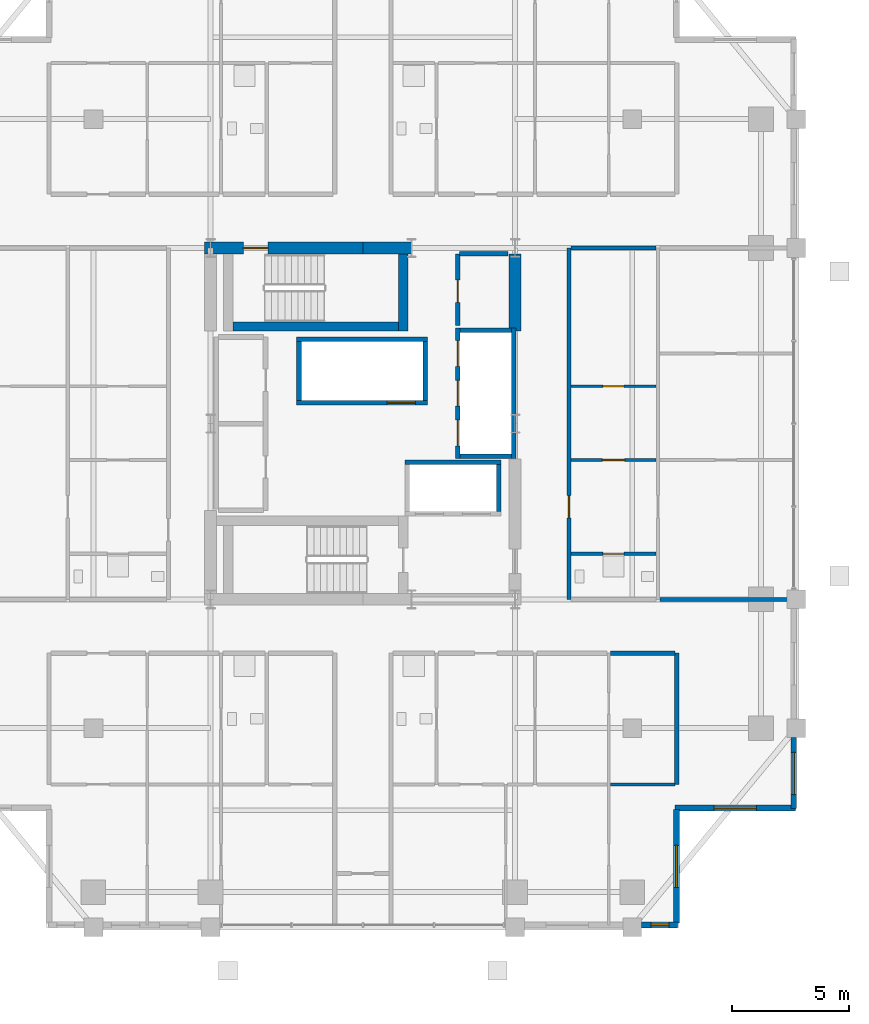
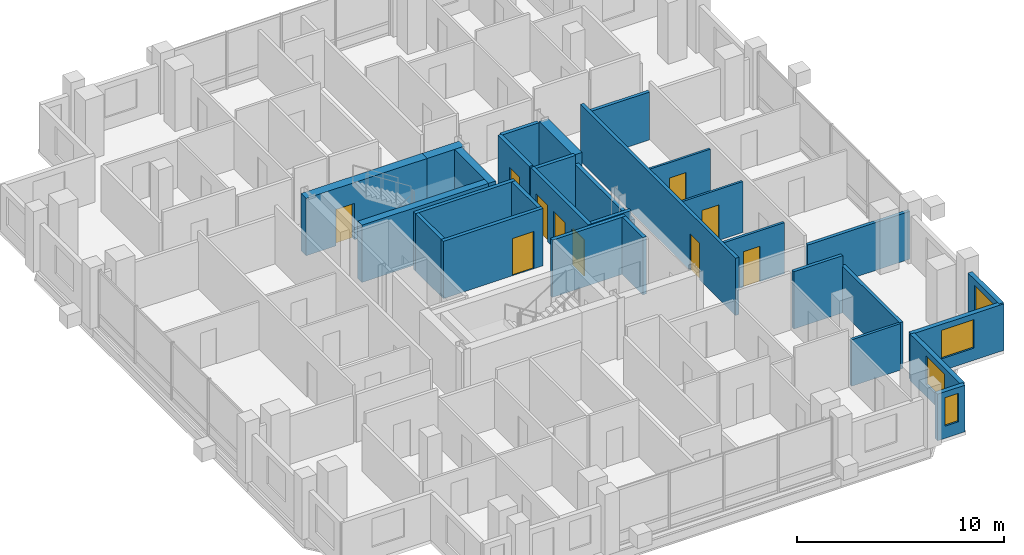
# One storey, part 20 of 24: 30 walls, 10 doors, 4 windows, 14 openings.
"""IFC4 building model written with IfcOpenShell, lengths in metres."""

from ifc_helpers import new_model, si_unit, direction, frame, frame_2d, origin, place, context, subcontext, project, spatial, rectangle, extrude, material, layer, layer_set, type_object, element, fill, save


model = new_model("IFC4")

# Units and contexts
model_context = context("Model", 3, precision=1e-05, world=origin(), true_north=direction((0.0, 1.0)))
body_context = subcontext(model_context, "Body", "Model", "MODEL_VIEW")
ifc_project = project(units=[si_unit("LENGTHUNIT", "METRE"), si_unit("AREAUNIT", "SQUARE_METRE"), si_unit("VOLUMEUNIT", "CUBIC_METRE"), si_unit("PLANEANGLEUNIT", "RADIAN"), si_unit("MASSUNIT", "GRAM", prefix="KILO")], contexts=[model_context])

# Site, building, storey
site_placement = place(None, origin())
site = spatial("IfcSite", under=ifc_project, at=site_placement, CompositionType="ELEMENT")
building_placement = place(site_placement, origin())
building = spatial("IfcBuilding", under=site, at=building_placement, Name="Barlavira Tower and Art Museum", CompositionType="ELEMENT")
storey_placement = place(building_placement, frame((0.0, 0.0, 169.199951171875)))
storey = spatial("IfcBuildingStorey", under=building, at=storey_placement, Name="L43", CompositionType="ELEMENT", Elevation=169.199951171875)

# Wall, opening, door
ifc_material_1 = material(Name="Gypsum acoustic stud partition", Category="gypsum")
ifc_layer_1 = layer(ifc_material_1, 0.1201171875, Name="Gypsum acoustic stud partition")
ifc_layer_set_1 = layer_set([ifc_layer_1], Name="Gypsum acoustic stud partition")
wall_type_1 = type_object("IfcWallType", Name="Apartment Internal Acoustic Partition 120", PredefinedType="PARTITIONING", material=ifc_layer_set_1)
wall_1_placement = place(storey_placement, frame((8.8798828125, -1.550048828125, 0.0), z_axis=(0.0, 0.0, 1.0), x_axis=(1.0, 0.0, 0.0)))
wall_1 = element("IfcWall", 1, at=wall_1_placement, inside=storey, type_object=wall_type_1, Name="L43 Partition Wall 55", PredefinedType="PARTITIONING", context=body_context, shape_type="SweptSolid", body=[
    extrude(rectangle(XDim=3.64013671875, YDim=0.1201171875, at=frame_2d((1.820068359375, 0.0))), origin(), (0.0, 0.0, 1.0), 3.010986328125),
])
opening_1_placement = place(wall_1_placement, frame((1.344970703125, 0.0, 0.0)))
opening_1 = element("IfcOpeningElement", 2, at=opening_1_placement, cuts=wall_1, Name="Opening D-02", PredefinedType="OPENING", context=body_context, shape_type="SweptSolid", body=[
    extrude(rectangle(XDim=0.949951171875, YDim=2.10009765625, at=frame_2d((0.47509765625, 1.050048828125))), frame((0.0, 0.070068359375, 0.0), z_axis=(0.0, -1.0, 0.0), x_axis=(1.0, 0.0, 0.0)), (0.0, 0.0, 1.0), 0.14013671875),
])
ifc_material_2 = material(Name="Engineered coastal hardwood", Category="wood")
door_type_1 = type_object("IfcDoorType", Name="Living and Salon Glazed-Leaf Door 950x2100", OperationType="NOTDEFINED", PredefinedType="DOOR", material=ifc_material_2)
door_1_placement = place(opening_1_placement, origin())
door_1 = element("IfcDoor", 3, at=door_1_placement, inside=storey, type_object=door_type_1, Name="Apartment E1 Kitchen Door", OperationType="SINGLE_SWING_RIGHT", OverallHeight=2.10009765625, OverallWidth=0.949951171875, PredefinedType="DOOR", context=body_context, shape_type="SweptSolid", body=[
    extrude(rectangle(XDim=0.949951171875, YDim=2.10009765625, at=frame_2d((0.47509765625, 1.050048828125))), frame((0.0, 0.02490234375, 0.0), z_axis=(0.0, -1.0, 0.0), x_axis=(1.0, 0.0, 0.0)), (0.0, 0.0, 1.0), 0.050048828125),
])
fill(opening_1, door_1)

wall_2_placement = place(storey_placement, frame((8.8798828125, 1.60009765625, 0.0), z_axis=(0.0, 0.0, 1.0), x_axis=(1.0, 0.0, 0.0)))
wall_2 = element("IfcWall", 4, at=wall_2_placement, inside=storey, type_object=wall_type_1, Name="L43 Partition Wall 60", PredefinedType="PARTITIONING", context=body_context, shape_type="SweptSolid", body=[
    extrude(rectangle(XDim=3.64013671875, YDim=0.1201171875, at=frame_2d((1.820068359375, 0.0))), origin(), (0.0, 0.0, 1.0), 3.010986328125),
])
opening_2_placement = place(wall_2_placement, frame((1.3701171875, 0.0, 0.0)))
opening_2 = element("IfcOpeningElement", 5, at=opening_2_placement, cuts=wall_2, Name="Opening D-01", PredefinedType="OPENING", context=body_context, shape_type="SweptSolid", body=[
    extrude(rectangle(XDim=0.89990234375, YDim=2.10009765625, at=frame_2d((0.449951171875, 1.050048828125))), frame((0.0, 0.070068359375, 0.0), z_axis=(0.0, -1.0, 0.0), x_axis=(1.0, 0.0, 0.0)), (0.0, 0.0, 1.0), 0.14013671875),
])
door_type_2 = type_object("IfcDoorType", Name="Internal Bedroom Timber Flush Door 900x2100", OperationType="NOTDEFINED", PredefinedType="DOOR", material=ifc_material_2)
door_2_placement = place(opening_2_placement, origin())
door_2 = element("IfcDoor", 6, at=door_2_placement, inside=storey, type_object=door_type_2, Name="Apartment E1 Walk-In Dressing Room Door", OperationType="SINGLE_SWING_LEFT", OverallHeight=2.10009765625, OverallWidth=0.89990234375, PredefinedType="DOOR", context=body_context, shape_type="SweptSolid", body=[
    extrude(rectangle(XDim=0.89990234375, YDim=2.10009765625, at=frame_2d((0.449951171875, 1.050048828125))), frame((0.0, 0.02490234375, 0.0), z_axis=(0.0, -1.0, 0.0), x_axis=(1.0, 0.0, 0.0)), (0.0, 0.0, 1.0), 0.050048828125),
])
fill(opening_2, door_2)

ifc_material_3 = material(Name="Concrete C60", Category="concrete")
ifc_layer_2 = layer(ifc_material_3, 0.5, Name="Concrete C60")
ifc_layer_set_2 = layer_set([ifc_layer_2], Name="Concrete C60")
wall_type_2 = type_object("IfcWallType", Name="Core Structural Shear Wall 500 Concrete C60", PredefinedType="SHEAR", material=ifc_layer_set_2)
wall_3_placement = place(storey_placement, frame((-6.75, 7.5, 0.0), z_axis=(0.0, 0.0, 1.0), x_axis=(1.0, 0.0, 0.0)))
wall_3 = element("IfcWall", 7, at=wall_3_placement, inside=storey, type_object=wall_type_2, Name="L43 Core Shear Wall CS-NW", PredefinedType="SHEAR", context=body_context, shape_type="SweptSolid", body=[
    extrude(rectangle(XDim=6.75, YDim=0.5, at=frame_2d((3.375, 0.0))), origin(), (0.0, 0.0, 1.0), 3.380126953125),
])
opening_3_placement = place(wall_3_placement, frame((1.64990234375, 0.0, 0.0)))
opening_3 = element("IfcOpeningElement", 8, at=opening_3_placement, cuts=wall_3, Name="Opening FD-90", PredefinedType="OPENING", context=body_context, shape_type="SweptSolid", body=[
    extrude(rectangle(XDim=1.050048828125, YDim=2.14990234375, at=frame_2d((0.52490234375, 1.074951171875))), frame((0.0, 0.260009765625, 0.0), z_axis=(0.0, -1.0, 0.0), x_axis=(1.0, 0.0, 0.0)), (0.0, 0.0, 1.0), 0.52001953125),
])
ifc_material_4 = material(Name="Brushed stainless steel", Category="steel")
door_type_3 = type_object("IfcDoorType", Name="Stair and Refuge Fire Door 1050x2150 FD90S", OperationType="NOTDEFINED", PredefinedType="DOOR", material=ifc_material_4)
door_3_placement = place(opening_3_placement, origin())
door_3 = element("IfcDoor", 9, at=door_3_placement, inside=storey, type_object=door_type_3, Name="L43 Stair ST-T2 Fire Door", OperationType="SINGLE_SWING_LEFT", OverallHeight=2.14990234375, OverallWidth=1.050048828125, PredefinedType="DOOR", context=body_context, shape_type="SweptSolid", body=[
    extrude(rectangle(XDim=1.050048828125, YDim=2.14990234375, at=frame_2d((0.52490234375, 1.074951171875))), frame((0.0, 0.02490234375, 0.0), z_axis=(0.0, -1.0, 0.0), x_axis=(1.0, 0.0, 0.0)), (0.0, 0.0, 1.0), 0.050048828125),
])
fill(opening_3, door_3)

# Walls
wall_4_placement = place(storey_placement, frame((0.0, 7.5, 0.0), z_axis=(0.0, 0.0, 1.0), x_axis=(1.0, 0.0, 0.0)))
element("IfcWall", 10, at=wall_4_placement, inside=storey, type_object=wall_type_2, Name="L43 Core Shear Wall CS-EN", PredefinedType="SHEAR", context=body_context, shape_type="SweptSolid", body=[
    extrude(rectangle(XDim=2.080078125, YDim=0.5, at=frame_2d((1.0400390625, 0.0))), origin(), (0.0, 0.0, 1.0), 3.380126953125),
])
wall_5_placement = place(storey_placement, frame((6.5, 3.949951171875, 0.0), z_axis=(0.0, 0.0, 1.0), x_axis=(0.0, 1.0, 0.0)))
element("IfcWall", 11, at=wall_5_placement, inside=storey, type_object=wall_type_2, Name="L43 Core Shear Wall CS-E2", PredefinedType="SHEAR", context=body_context, shape_type="SweptSolid", body=[
    extrude(rectangle(XDim=3.300048828125, YDim=0.5, at=frame_2d((1.64990234375, 0.0))), origin(), (0.0, 0.0, 1.0), 3.380126953125),
])

# Wall, openings, doors
ifc_material_5 = material(Name="Autoclaved aerated concrete masonry", Category="masonry")
ifc_layer_3 = layer(ifc_material_5, 0.199951171875, Name="Autoclaved aerated concrete masonry")
ifc_layer_set_3 = layer_set([ifc_layer_3], Name="Autoclaved aerated concrete masonry")
wall_type_3 = type_object("IfcWallType", Name="Fire Compartment and Shaft Wall 200", PredefinedType="SOLIDWALL", material=ifc_layer_set_3)
wall_6_placement = place(storey_placement, frame((4.050048828125, -1.489990234375, 0.0), z_axis=(0.0, 0.0, 1.0), x_axis=(0.0, 1.0, 0.0)))
wall_6 = element("IfcWall", 12, at=wall_6_placement, inside=storey, type_object=wall_type_3, Name="L43 Mid-Rise Lift Front Shaft Wall", PredefinedType="SOLIDWALL", context=body_context, shape_type="SweptSolid", body=[
    extrude(rectangle(XDim=5.580078125, YDim=0.199951171875, at=frame_2d((2.7900390625, 0.0))), origin(), (0.0, 0.0, 1.0), 3.380126953125),
])
opening_4_placement = place(wall_6_placement, frame((0.5400390625, 0.0, 0.0)))
opening_4 = element("IfcOpeningElement", 13, at=opening_4_placement, cuts=wall_6, Name="Opening LD-P", PredefinedType="OPENING", context=body_context, shape_type="SweptSolid", body=[
    extrude(rectangle(XDim=1.10009765625, YDim=2.14990234375, at=frame_2d((0.550048828125, 1.074951171875))), frame((0.0, 0.10986328125, 0.0), z_axis=(0.0, -1.0, 0.0), x_axis=(1.0, 0.0, 0.0)), (0.0, 0.0, 1.0), 0.219970703125),
])
opening_5_placement = place(wall_6_placement, frame((2.239990234375, 0.0, 0.0)))
opening_5 = element("IfcOpeningElement", 14, at=opening_5_placement, cuts=wall_6, Name="Opening LD-P", PredefinedType="OPENING", context=body_context, shape_type="SweptSolid", body=[
    extrude(rectangle(XDim=1.10009765625, YDim=2.14990234375, at=frame_2d((0.550048828125, 1.074951171875))), frame((0.0, 0.10986328125, 0.0), z_axis=(0.0, -1.0, 0.0), x_axis=(1.0, 0.0, 0.0)), (0.0, 0.0, 1.0), 0.219970703125),
])
opening_6_placement = place(wall_6_placement, frame((3.93994140625, 0.0, 0.0)))
opening_6 = element("IfcOpeningElement", 15, at=opening_6_placement, cuts=wall_6, Name="Opening LD-P", PredefinedType="OPENING", context=body_context, shape_type="SweptSolid", body=[
    extrude(rectangle(XDim=1.10009765625, YDim=2.14990234375, at=frame_2d((0.550048828125, 1.074951171875))), frame((0.0, 0.10986328125, 0.0), z_axis=(0.0, -1.0, 0.0), x_axis=(1.0, 0.0, 0.0)), (0.0, 0.0, 1.0), 0.219970703125),
])
door_type_4 = type_object("IfcDoorType", Name="Passenger Lift Sliding Landing Door 1100x2150 FD60", OperationType="NOTDEFINED", PredefinedType="DOOR", material=ifc_material_4)
door_4_placement = place(opening_4_placement, origin())
door_4 = element("IfcDoor", 16, at=door_4_placement, inside=storey, type_object=door_type_4, Name="L43 Lift PM1 Sliding Landing Door", OperationType="DOUBLE_DOOR_SLIDING", OverallHeight=2.14990234375, OverallWidth=1.10009765625, PredefinedType="DOOR", context=body_context, shape_type="SweptSolid", body=[
    extrude(rectangle(XDim=1.10009765625, YDim=2.14990234375, at=frame_2d((0.550048828125, 1.074951171875))), frame((0.0, 0.02490234375, 0.0), z_axis=(0.0, -1.0, 0.0), x_axis=(1.0, 0.0, 0.0)), (0.0, 0.0, 1.0), 0.050048828125),
])
fill(opening_4, door_4)
door_5_placement = place(opening_5_placement, origin())
door_5 = element("IfcDoor", 17, at=door_5_placement, inside=storey, type_object=door_type_4, Name="L43 Lift PM2 Sliding Landing Door", OperationType="DOUBLE_DOOR_SLIDING", OverallHeight=2.14990234375, OverallWidth=1.10009765625, PredefinedType="DOOR", context=body_context, shape_type="SweptSolid", body=[
    extrude(rectangle(XDim=1.10009765625, YDim=2.14990234375, at=frame_2d((0.550048828125, 1.074951171875))), frame((0.0, 0.02490234375, 0.0), z_axis=(0.0, -1.0, 0.0), x_axis=(1.0, 0.0, 0.0)), (0.0, 0.0, 1.0), 0.050048828125),
])
fill(opening_5, door_5)
door_6_placement = place(opening_6_placement, origin())
door_6 = element("IfcDoor", 18, at=door_6_placement, inside=storey, type_object=door_type_4, Name="L43 Lift PM3 Sliding Landing Door", OperationType="DOUBLE_DOOR_SLIDING", OverallHeight=2.14990234375, OverallWidth=1.10009765625, PredefinedType="DOOR", context=body_context, shape_type="SweptSolid", body=[
    extrude(rectangle(XDim=1.10009765625, YDim=2.14990234375, at=frame_2d((0.550048828125, 1.074951171875))), frame((0.0, 0.02490234375, 0.0), z_axis=(0.0, -1.0, 0.0), x_axis=(1.0, 0.0, 0.0)), (0.0, 0.0, 1.0), 0.050048828125),
])
fill(opening_6, door_6)

# Walls
wall_7_placement = place(storey_placement, frame((6.449951171875, -1.489990234375, 0.0), z_axis=(0.0, 0.0, 1.0), x_axis=(0.0, 1.0, 0.0)))
element("IfcWall", 19, at=wall_7_placement, inside=storey, type_object=wall_type_3, Name="L43 Mid-Rise Lift Back Shaft Wall", PredefinedType="SOLIDWALL", context=body_context, shape_type="SweptSolid", body=[
    extrude(rectangle(XDim=5.580078125, YDim=0.199951171875, at=frame_2d((2.7900390625, 0.0))), origin(), (0.0, 0.0, 1.0), 2.825927734375),
])
for number, where, z_axis, x_axis, name in (
    (20, (4.14990234375, -1.389892578125, 0.0), (0.0, 0.0, 1.0), (1.0, 0.0, 0.0), "L43 Mid-Rise Lift South Shaft Wall"),
    (21, (4.14990234375, 3.989990234375, 0.0), (0.0, 0.0, 1.0), (1.0, 0.0, 0.0), "L43 Mid-Rise Lift North Shaft Wall"),
):
    element("IfcWall", number, at=place(storey_placement, frame(where, z_axis=z_axis, x_axis=x_axis)), inside=storey, type_object=wall_type_3, Name=name, PredefinedType="SOLIDWALL", context=body_context, shape_type="SweptSolid", body=[
        extrude(rectangle(XDim=2.2001953125, YDim=0.199951171875, at=frame_2d((1.10009765625, 0.0))), origin(), (0.0, 0.0, 1.0), 3.380126953125),
    ])

# Wall, opening, door
wall_8_placement = place(storey_placement, frame((-2.820068359375, 0.89990234375, 0.0), z_axis=(0.0, 0.0, 1.0), x_axis=(1.0, 0.0, 0.0)))
wall_8 = element("IfcWall", 22, at=wall_8_placement, inside=storey, type_object=wall_type_3, Name="L43 High-Rise & Service Lift Front Wall", PredefinedType="SOLIDWALL", context=body_context, shape_type="SweptSolid", body=[
    extrude(rectangle(XDim=5.580078125, YDim=0.199951171875, at=frame_2d((2.7900390625, 0.0))), origin(), (0.0, 0.0, 1.0), 3.380126953125),
])
opening_7_placement = place(wall_8_placement, frame((3.860107421875, 0.0, 0.0)))
opening_7 = element("IfcOpeningElement", 23, at=opening_7_placement, cuts=wall_8, Name="Opening LD-F", PredefinedType="OPENING", context=body_context, shape_type="SweptSolid", body=[
    extrude(rectangle(XDim=1.199951171875, YDim=2.199951171875, at=frame_2d((0.60009765625, 1.10009765625))), frame((0.0, 0.10986328125, 0.0), z_axis=(0.0, -1.0, 0.0), x_axis=(1.0, 0.0, 0.0)), (0.0, 0.0, 1.0), 0.219970703125),
])
door_type_5 = type_object("IfcDoorType", Name="Firefighting and Service Lift Sliding Door 1200x2200 FD120", OperationType="NOTDEFINED", PredefinedType="DOOR", material=ifc_material_4)
door_7_placement = place(opening_7_placement, origin())
door_7 = element("IfcDoor", 24, at=door_7_placement, inside=storey, type_object=door_type_5, Name="L43 Stretcher Service Lift SL1 Sliding Door", OperationType="DOUBLE_DOOR_SLIDING", OverallHeight=2.199951171875, OverallWidth=1.199951171875, PredefinedType="DOOR", context=body_context, shape_type="SweptSolid", body=[
    extrude(rectangle(XDim=1.199951171875, YDim=2.199951171875, at=frame_2d((0.60009765625, 1.10009765625))), frame((0.0, 0.02490234375, 0.0), z_axis=(0.0, -1.0, 0.0), x_axis=(1.0, 0.0, 0.0)), (0.0, 0.0, 1.0), 0.050048828125),
])
fill(opening_7, door_7)

# Walls
wall_9_placement = place(storey_placement, frame((-2.820068359375, 3.60009765625, 0.0), z_axis=(0.0, 0.0, 1.0), x_axis=(1.0, 0.0, 0.0)))
element("IfcWall", 25, at=wall_9_placement, inside=storey, type_object=wall_type_3, Name="L43 High-Rise & Service Lift Back Wall", PredefinedType="SOLIDWALL", context=body_context, shape_type="SweptSolid", body=[
    extrude(rectangle(XDim=5.580078125, YDim=0.199951171875, at=frame_2d((2.7900390625, 0.0))), origin(), (0.0, 0.0, 1.0), 3.380126953125),
])
for number, where, z_axis, x_axis, name in (
    (26, (-2.719970703125, 1.0, 0.0), (0.0, 0.0, 1.0), (0.0, 1.0, 0.0), "L43 High-Rise & Service Lift West Wall"),
    (27, (2.659912109375, 1.0, 0.0), (0.0, 0.0, 1.0), (0.0, 1.0, 0.0), "L43 High-Rise & Service Lift East Wall"),
):
    element("IfcWall", number, at=place(storey_placement, frame(where, z_axis=z_axis, x_axis=x_axis)), inside=storey, type_object=wall_type_3, Name=name, PredefinedType="SOLIDWALL", context=body_context, shape_type="SweptSolid", body=[
        extrude(rectangle(XDim=2.5, YDim=0.199951171875, at=frame_2d((1.25, 0.0))), origin(), (0.0, 0.0, 1.0), 3.380126953125),
    ])
wall_10_placement = place(storey_placement, frame((1.800048828125, -1.64990234375, 0.0), z_axis=(0.0, 0.0, 1.0), x_axis=(1.0, 0.0, 0.0)))
element("IfcWall", 28, at=wall_10_placement, inside=storey, type_object=wall_type_3, Name="L43 Firefighting Lift Back Shaft Wall", PredefinedType="SOLIDWALL", context=body_context, shape_type="SweptSolid", body=[
    extrude(rectangle(XDim=4.099853515625, YDim=0.199951171875, at=frame_2d((2.0498046875, 0.0))), origin(), (0.0, 0.0, 1.0), 3.380126953125),
])
wall_11_placement = place(storey_placement, frame((5.800048828125, -3.75, 0.0), z_axis=(0.0, 0.0, 1.0), x_axis=(0.0, 1.0, 0.0)))
element("IfcWall", 29, at=wall_11_placement, inside=storey, type_object=wall_type_3, Name="L43 Firefighting Lift East Shaft Wall", PredefinedType="SOLIDWALL", context=body_context, shape_type="SweptSolid", body=[
    extrude(rectangle(XDim=2.0, YDim=0.199951171875, at=frame_2d((1.0, 0.0))), origin(), (0.0, 0.0, 1.0), 3.380126953125),
])

# Wall, opening, door
wall_12_placement = place(storey_placement, frame((4.050048828125, 4.199951171875, 0.0), z_axis=(0.0, 0.0, 1.0), x_axis=(0.0, 1.0, 0.0)))
wall_12 = element("IfcWall", 30, at=wall_12_placement, inside=storey, type_object=wall_type_3, Name="L43 Partition Wall 19", PredefinedType="SOLIDWALL", context=body_context, shape_type="SweptSolid", body=[
    extrude(rectangle(XDim=3.050048828125, YDim=0.199951171875, at=frame_2d((1.52490234375, 0.0))), origin(), (0.0, 0.0, 1.0), 3.380126953125),
])
opening_8_placement = place(wall_12_placement, frame((0.97509765625, 0.0, 0.0)))
opening_8 = element("IfcOpeningElement", 31, at=opening_8_placement, cuts=wall_12, Name="Opening FD-60", PredefinedType="OPENING", context=body_context, shape_type="SweptSolid", body=[
    extrude(rectangle(XDim=0.949951171875, YDim=2.14990234375, at=frame_2d((0.47509765625, 1.074951171875))), frame((0.0, 0.10986328125, 0.0), z_axis=(0.0, -1.0, 0.0), x_axis=(1.0, 0.0, 0.0)), (0.0, 0.0, 1.0), 0.219970703125),
])
door_type_6 = type_object("IfcDoorType", Name="Apartment Entrance and Riser Fire Door 950x2150 FD60S", OperationType="NOTDEFINED", PredefinedType="DOOR", material=ifc_material_4)
door_8_placement = place(opening_8_placement, origin())
door_8 = element("IfcDoor", 32, at=door_8_placement, inside=storey, type_object=door_type_6, Name="Combined Electrical and Telecom Plant Room Door", OperationType="SINGLE_SWING_RIGHT", OverallHeight=2.14990234375, OverallWidth=0.949951171875, PredefinedType="DOOR", context=body_context, shape_type="SweptSolid", body=[
    extrude(rectangle(XDim=0.949951171875, YDim=2.14990234375, at=frame_2d((0.47509765625, 1.074951171875))), frame((0.0, 0.02490234375, 0.0), z_axis=(0.0, -1.0, 0.0), x_axis=(1.0, 0.0, 0.0)), (0.0, 0.0, 1.0), 0.050048828125),
])
fill(opening_8, door_8)

# Wall
wall_13_placement = place(storey_placement, frame((4.1298828125, 7.25, 0.0), z_axis=(0.0, 0.0, 1.0), x_axis=(1.0, 0.0, 0.0)))
element("IfcWall", 33, at=wall_13_placement, inside=storey, type_object=wall_type_3, Name="L43 Partition Wall 63", PredefinedType="SOLIDWALL", context=body_context, shape_type="SweptSolid", body=[
    extrude(rectangle(XDim=2.070068359375, YDim=0.199951171875, at=frame_2d((1.03515625, 0.0))), origin(), (0.0, 0.0, 1.0), 3.380126953125),
])

# Wall, opening, door
ifc_layer_4 = layer(ifc_material_1, 0.179931640625, Name="Gypsum acoustic stud partition")
ifc_layer_set_4 = layer_set([ifc_layer_4], Name="Gypsum acoustic stud partition")
wall_type_4 = type_object("IfcWallType", Name="Inter-Tenancy Party Partition Wall 180", PredefinedType="PARTITIONING", material=ifc_layer_set_4)
wall_14_placement = place(storey_placement, frame((8.800048828125, -7.5, 0.0), z_axis=(0.0, 0.0, 1.0), x_axis=(0.0, 1.0, 0.0)))
wall_14 = element("IfcWall", 34, at=wall_14_placement, inside=storey, type_object=wall_type_4, Name="L43 Partition Wall 23", PredefinedType="PARTITIONING", context=body_context, shape_type="SweptSolid", body=[
    extrude(rectangle(XDim=15.0, YDim=0.179931640625, at=frame_2d((7.5, 0.0))), origin(), (0.0, 0.0, 1.0), 3.380126953125),
])
opening_9_placement = place(wall_14_placement, frame((3.47509765625, 0.0, 0.0)))
opening_9 = element("IfcOpeningElement", 35, at=opening_9_placement, cuts=wall_14, Name="Opening FD-60", PredefinedType="OPENING", context=body_context, shape_type="SweptSolid", body=[
    extrude(rectangle(XDim=0.949951171875, YDim=2.14990234375, at=frame_2d((0.47509765625, 1.074951171875))), frame((0.0, 0.10009765625, 0.0), z_axis=(0.0, -1.0, 0.0), x_axis=(1.0, 0.0, 0.0)), (0.0, 0.0, 1.0), 0.199951171875),
])
door_9_placement = place(opening_9_placement, origin())
door_9 = element("IfcDoor", 36, at=door_9_placement, inside=storey, type_object=door_type_6, Name="Apartment Entrance Hall E1 Door", OperationType="SINGLE_SWING_LEFT", OverallHeight=2.14990234375, OverallWidth=0.949951171875, PredefinedType="DOOR", context=body_context, shape_type="SweptSolid", body=[
    extrude(rectangle(XDim=0.949951171875, YDim=2.14990234375, at=frame_2d((0.47509765625, 1.074951171875))), frame((0.0, 0.02490234375, 0.0), z_axis=(0.0, -1.0, 0.0), x_axis=(1.0, 0.0, 0.0)), (0.0, 0.0, 1.0), 0.050048828125),
])
fill(opening_9, door_9)

# Walls
wall_15_placement = place(storey_placement, frame((13.39990234375, -15.39990234375, 0.0), z_axis=(0.0, 0.0, 1.0), x_axis=(0.0, 1.0, 0.0)))
element("IfcWall", 37, at=wall_15_placement, inside=storey, type_object=wall_type_4, Name="L43 Partition Wall 27", PredefinedType="PARTITIONING", context=body_context, shape_type="SweptSolid", body=[
    extrude(rectangle(XDim=5.599853515625, YDim=0.179931640625, at=frame_2d((2.7998046875, 0.0))), origin(), (0.0, 0.0, 1.0), 2.748046875),
])
wall_16_placement = place(storey_placement, frame((10.580078125, -9.800048828125, 0.0), z_axis=(0.0, 0.0, 1.0), x_axis=(1.0, 0.0, 0.0)))
element("IfcWall", 38, at=wall_16_placement, inside=storey, type_object=wall_type_4, Name="L43 Partition Wall 46", PredefinedType="PARTITIONING", context=body_context, shape_type="SweptSolid", body=[
    extrude(rectangle(XDim=2.739990234375, YDim=0.179931640625, at=frame_2d((1.3701171875, 0.0))), origin(), (0.0, 0.0, 1.0), 3.380126953125),
])
wall_17_placement = place(storey_placement, frame((12.679931640625, -7.5, 0.0), z_axis=(0.0, 0.0, 1.0), x_axis=(1.0, 0.0, 0.0)))
element("IfcWall", 39, at=wall_17_placement, inside=storey, type_object=wall_type_4, Name="L43 Partition Wall 50", PredefinedType="PARTITIONING", context=body_context, shape_type="SweptSolid", body=[
    extrude(rectangle(XDim=5.719970703125, YDim=0.179931640625, at=frame_2d((2.85986328125, 0.0))), origin(), (0.0, 0.0, 1.0), 2.825927734375),
])
wall_18_placement = place(storey_placement, frame((8.8798828125, 7.5, 0.0), z_axis=(0.0, 0.0, 1.0), x_axis=(1.0, 0.0, 0.0)))
element("IfcWall", 40, at=wall_18_placement, inside=storey, type_object=wall_type_4, Name="L43 Partition Wall 66", PredefinedType="PARTITIONING", context=body_context, shape_type="SweptSolid", body=[
    extrude(rectangle(XDim=3.64013671875, YDim=0.179931640625, at=frame_2d((1.820068359375, 0.0))), origin(), (0.0, 0.0, 1.0), 2.825927734375),
])
ifc_layer_5 = layer(ifc_material_1, 0.139892578125, Name="Gypsum acoustic stud partition")
ifc_layer_set_5 = layer_set([ifc_layer_5], Name="Gypsum acoustic stud partition")
wall_type_5 = type_object("IfcWallType", Name="Moisture-Resistant Bathroom Partition 140", PredefinedType="PARTITIONING", material=ifc_layer_set_5)
wall_19_placement = place(storey_placement, frame((10.580078125, -15.39990234375, 0.0), z_axis=(0.0, 0.0, 1.0), x_axis=(1.0, 0.0, 0.0)))
element("IfcWall", 41, at=wall_19_placement, inside=storey, type_object=wall_type_5, Name="L43 Partition Wall 38", PredefinedType="PARTITIONING", context=body_context, shape_type="SweptSolid", body=[
    extrude(rectangle(XDim=2.739990234375, YDim=0.139892578125, at=frame_2d((1.3701171875, 0.0))), origin(), (0.0, 0.0, 1.0), 2.748046875),
])

# Wall, opening, door
wall_20_placement = place(storey_placement, frame((8.8798828125, -5.550048828125, 0.0), z_axis=(0.0, 0.0, 1.0), x_axis=(1.0, 0.0, 0.0)))
wall_20 = element("IfcWall", 42, at=wall_20_placement, inside=storey, type_object=wall_type_5, Name="L43 Partition Wall 52", PredefinedType="PARTITIONING", context=body_context, shape_type="SweptSolid", body=[
    extrude(rectangle(XDim=3.64013671875, YDim=0.139892578125, at=frame_2d((1.820068359375, 0.0))), origin(), (0.0, 0.0, 1.0), 3.010986328125),
])
opening_10_placement = place(wall_20_placement, frame((1.3701171875, 0.0, 0.0)))
opening_10 = element("IfcOpeningElement", 43, at=opening_10_placement, cuts=wall_20, Name="Opening D-WC", PredefinedType="OPENING", context=body_context, shape_type="SweptSolid", body=[
    extrude(rectangle(XDim=0.89990234375, YDim=2.10009765625, at=frame_2d((0.449951171875, 1.050048828125))), frame((0.0, 0.080078125, 0.0), z_axis=(0.0, -1.0, 0.0), x_axis=(1.0, 0.0, 0.0)), (0.0, 0.0, 1.0), 0.159912109375),
])
door_type_7 = type_object("IfcDoorType", Name="Accessible Bathroom Flush Door 900x2100", OperationType="NOTDEFINED", PredefinedType="DOOR", material=ifc_material_2)
door_10_placement = place(opening_10_placement, origin())
door_10 = element("IfcDoor", 44, at=door_10_placement, inside=storey, type_object=door_type_7, Name="Apartment E1 Hall Bathroom Door", OperationType="SINGLE_SWING_RIGHT", OverallHeight=2.10009765625, OverallWidth=0.89990234375, PredefinedType="DOOR", context=body_context, shape_type="SweptSolid", body=[
    extrude(rectangle(XDim=0.89990234375, YDim=2.10009765625, at=frame_2d((0.449951171875, 1.050048828125))), frame((0.0, 0.02490234375, 0.0), z_axis=(0.0, -1.0, 0.0), x_axis=(1.0, 0.0, 0.0)), (0.0, 0.0, 1.0), 0.050048828125),
])
fill(opening_10, door_10)

# Wall, opening, window
ifc_material_6 = material(Name="Precast concrete C40", Category="concrete")
ifc_layer_6 = layer(ifc_material_6, 0.25, Name="Precast concrete C40")
ifc_layer_set_6 = layer_set([ifc_layer_6], Name="Precast concrete C40")
wall_type_6 = type_object("IfcWallType", Name="Notched Corner Spandrel Wall 250 Precast Concrete C40", PredefinedType="SOLIDWALL", material=ifc_layer_set_6)
wall_21_placement = place(storey_placement, frame((11.89501953125, -21.39990234375, 0.0), z_axis=(0.0, 0.0, 1.0), x_axis=(1.0, 0.0, 0.0)))
wall_21 = element("IfcWall", 45, at=wall_21_placement, inside=storey, type_object=wall_type_6, Name="L43 Coastal Facade Pier Wall CW3-L43-S-5", PredefinedType="SOLIDWALL", context=body_context, shape_type="SweptSolid", body=[
    extrude(rectangle(XDim=1.530029296875, YDim=0.25, at=frame_2d((0.76513671875, 0.0))), origin(), (0.0, 0.0, 1.0), 2.748046875),
])
opening_11_placement = place(wall_21_placement, frame((0.407958984375, 0.0, 0.719970703125)))
opening_11 = element("IfcOpeningElement", 46, at=opening_11_placement, cuts=wall_21, Name="Opening WN-06", PredefinedType="OPENING", context=body_context, shape_type="SweptSolid", body=[
    extrude(rectangle(XDim=0.760009765625, YDim=1.679931640625, at=frame_2d((0.3798828125, 0.83984375))), frame((0.0, 0.135009765625, 0.0), z_axis=(0.0, -1.0, 0.0), x_axis=(1.0, 0.0, 0.0)), (0.0, 0.0, 1.0), 0.27001953125),
])
ifc_material_7 = material(Name="Low-iron coastal laminated glass", Category="glass")
window_type_1 = type_object("IfcWindowType", Name="Recessed Narrow Pier Window 760x1680", PartitioningType="SINGLE_PANEL", PredefinedType="WINDOW", material=ifc_material_7)
window_1_placement = place(opening_11_placement, origin())
window_1 = element("IfcWindow", 47, at=window_1_placement, inside=storey, type_object=window_type_1, Name="L43 Punched Facade Window EWP-CW3-L43-S-5-1", OverallHeight=1.679931640625, OverallWidth=0.760009765625, PartitioningType="SINGLE_PANEL", PredefinedType="WINDOW", context=body_context, shape_type="SweptSolid", body=[
    extrude(rectangle(XDim=0.760009765625, YDim=1.679931640625, at=frame_2d((0.3798828125, 0.83984375))), frame((0.0, 0.030029296875, 0.0), z_axis=(0.0, -1.0, 0.0), x_axis=(1.0, 0.0, 0.0)), (0.0, 0.0, 1.0), 0.06005859375),
])
fill(opening_11, window_1)

wall_22_placement = place(storey_placement, frame((18.39990234375, -16.425048828125, 0.0), z_axis=(0.0, 0.0, 1.0), x_axis=(0.0, 1.0, 0.0)))
wall_22 = element("IfcWall", 48, at=wall_22_placement, inside=storey, type_object=wall_type_6, Name="L43 Coastal Facade Pier Wall CW3-L43-E-1", PredefinedType="SOLIDWALL", context=body_context, shape_type="SweptSolid", body=[
    extrude(rectangle(XDim=3.030029296875, YDim=0.25, at=frame_2d((1.51513671875, 0.0))), origin(), (0.0, 0.0, 1.0), 2.748046875),
])
opening_12_placement = place(wall_22_placement, frame((0.593017578125, 0.0, 0.719970703125)))
opening_12 = element("IfcOpeningElement", 49, at=opening_12_placement, cuts=wall_22, Name="Opening WN-01", PredefinedType="OPENING", context=body_context, shape_type="SweptSolid", body=[
    extrude(rectangle(XDim=1.800048828125, YDim=1.679931640625, at=frame_2d((0.89990234375, 0.83984375))), frame((0.0, 0.135009765625, 0.0), z_axis=(0.0, -1.0, 0.0), x_axis=(1.0, 0.0, 0.0)), (0.0, 0.0, 1.0), 0.27001953125),
])
window_type_2 = type_object("IfcWindowType", Name="Recessed Notch Corner Punch Window 1800x1680", PartitioningType="SINGLE_PANEL", PredefinedType="WINDOW", material=ifc_material_7)
window_2_placement = place(opening_12_placement, origin())
window_2 = element("IfcWindow", 50, at=window_2_placement, inside=storey, type_object=window_type_2, Name="L43 Punched Facade Window EWP-CW3-L43-E-1-1", OverallHeight=1.679931640625, OverallWidth=1.800048828125, PartitioningType="SINGLE_PANEL", PredefinedType="WINDOW", context=body_context, shape_type="SweptSolid", body=[
    extrude(rectangle(XDim=1.800048828125, YDim=1.679931640625, at=frame_2d((0.89990234375, 0.83984375))), frame((0.0, 0.030029296875, 0.0), z_axis=(0.0, -1.0, 0.0), x_axis=(1.0, 0.0, 0.0)), (0.0, 0.0, 1.0), 0.06005859375),
])
fill(opening_12, window_2)

wall_23_placement = place(storey_placement, frame((13.39990234375, -21.320068359375, 0.0), z_axis=(0.0, 0.0, 1.0), x_axis=(0.0, 1.0, 0.0)))
wall_23 = element("IfcWall", 51, at=wall_23_placement, inside=storey, type_object=wall_type_6, Name="L43 Notch Corner Wall SE1", PredefinedType="SOLIDWALL", context=body_context, shape_type="SweptSolid", body=[
    extrude(rectangle(XDim=4.840087890625, YDim=0.25, at=frame_2d((2.419921875, 0.0))), origin(), (0.0, 0.0, 1.0), 2.748046875),
])
opening_13_placement = place(wall_23_placement, frame((1.52001953125, 0.0, 0.719970703125)))
opening_13 = element("IfcOpeningElement", 52, at=opening_13_placement, cuts=wall_23, Name="Opening WN-01", PredefinedType="OPENING", context=body_context, shape_type="SweptSolid", body=[
    extrude(rectangle(XDim=1.800048828125, YDim=1.679931640625, at=frame_2d((0.89990234375, 0.83984375))), frame((0.0, 0.135009765625, 0.0), z_axis=(0.0, -1.0, 0.0), x_axis=(1.0, 0.0, 0.0)), (0.0, 0.0, 1.0), 0.27001953125),
])
window_3_placement = place(opening_13_placement, origin())
window_3 = element("IfcWindow", 53, at=window_3_placement, inside=storey, type_object=window_type_2, Name="L43 Punched Facade Window EW-NTC-L43-SE1-1", OverallHeight=1.679931640625, OverallWidth=1.800048828125, PartitioningType="SINGLE_PANEL", PredefinedType="WINDOW", context=body_context, shape_type="SweptSolid", body=[
    extrude(rectangle(XDim=1.800048828125, YDim=1.679931640625, at=frame_2d((0.89990234375, 0.83984375))), frame((0.0, 0.030029296875, 0.0), z_axis=(0.0, -1.0, 0.0), x_axis=(1.0, 0.0, 0.0)), (0.0, 0.0, 1.0), 0.06005859375),
])
fill(opening_13, window_3)

wall_24_placement = place(storey_placement, frame((13.320068359375, -16.39990234375, 0.0), z_axis=(0.0, 0.0, 1.0), x_axis=(1.0, 0.0, 0.0)))
wall_24 = element("IfcWall", 54, at=wall_24_placement, inside=storey, type_object=wall_type_6, Name="L43 Notch Corner Wall SE2", PredefinedType="SOLIDWALL", context=body_context, shape_type="SweptSolid", body=[
    extrude(rectangle(XDim=5.159912109375, YDim=0.25, at=frame_2d((2.580078125, 0.0))), origin(), (0.0, 0.0, 1.0), 2.748046875),
])
opening_14_placement = place(wall_24_placement, frame((1.679931640625, 0.0, 0.719970703125)))
opening_14 = element("IfcOpeningElement", 55, at=opening_14_placement, cuts=wall_24, Name="Opening WN-01", PredefinedType="OPENING", context=body_context, shape_type="SweptSolid", body=[
    extrude(rectangle(XDim=1.800048828125, YDim=1.679931640625, at=frame_2d((0.89990234375, 0.83984375))), frame((0.0, 0.135009765625, 0.0), z_axis=(0.0, -1.0, 0.0), x_axis=(1.0, 0.0, 0.0)), (0.0, 0.0, 1.0), 0.27001953125),
])
window_4_placement = place(opening_14_placement, origin())
window_4 = element("IfcWindow", 56, at=window_4_placement, inside=storey, type_object=window_type_2, Name="L43 Punched Facade Window EW-NTC-L43-SE2-1", OverallHeight=1.679931640625, OverallWidth=1.800048828125, PartitioningType="SINGLE_PANEL", PredefinedType="WINDOW", context=body_context, shape_type="SweptSolid", body=[
    extrude(rectangle(XDim=1.800048828125, YDim=1.679931640625, at=frame_2d((0.89990234375, 0.83984375))), frame((0.0, 0.030029296875, 0.0), z_axis=(0.0, -1.0, 0.0), x_axis=(1.0, 0.0, 0.0)), (0.0, 0.0, 1.0), 0.06005859375),
])
fill(opening_14, window_4)

# Walls
ifc_material_8 = material(Name="Concrete C55", Category="concrete")
ifc_layer_7 = layer(ifc_material_8, 0.39990234375, Name="Concrete C55")
ifc_layer_set_7 = layer_set([ifc_layer_7], Name="Concrete C55")
wall_type_7 = type_object("IfcWallType", Name="Upper Core Shear Wall 400 Concrete C55", PredefinedType="SHEAR", material=ifc_layer_set_7)
wall_25_placement = place(storey_placement, frame((-5.550048828125, 4.14990234375, 0.0), z_axis=(0.0, 0.0, 1.0), x_axis=(1.0, 0.0, 0.0)))
element("IfcWall", 57, at=wall_25_placement, inside=storey, type_object=wall_type_7, Name="L43 ST-T2 South Shaft Wall", PredefinedType="SHEAR", context=body_context, shape_type="SweptSolid", body=[
    extrude(rectangle(XDim=7.080078125, YDim=0.39990234375, at=frame_2d((3.5400390625, 0.0))), origin(), (0.0, 0.0, 1.0), 3.380126953125),
])
wall_26_placement = place(storey_placement, frame((1.72998046875, 3.949951171875, 0.0), z_axis=(0.0, 0.0, 1.0), x_axis=(0.0, 1.0, 0.0)))
element("IfcWall", 58, at=wall_26_placement, inside=storey, type_object=wall_type_7, Name="L43 ST-T2 East Half-Landing Wall", PredefinedType="SHEAR", context=body_context, shape_type="SweptSolid", body=[
    extrude(rectangle(XDim=3.300048828125, YDim=0.39990234375, at=frame_2d((1.64990234375, 0.0))), origin(), (0.0, 0.0, 1.0), 3.380126953125),
])

save(model, "model.ifc")
